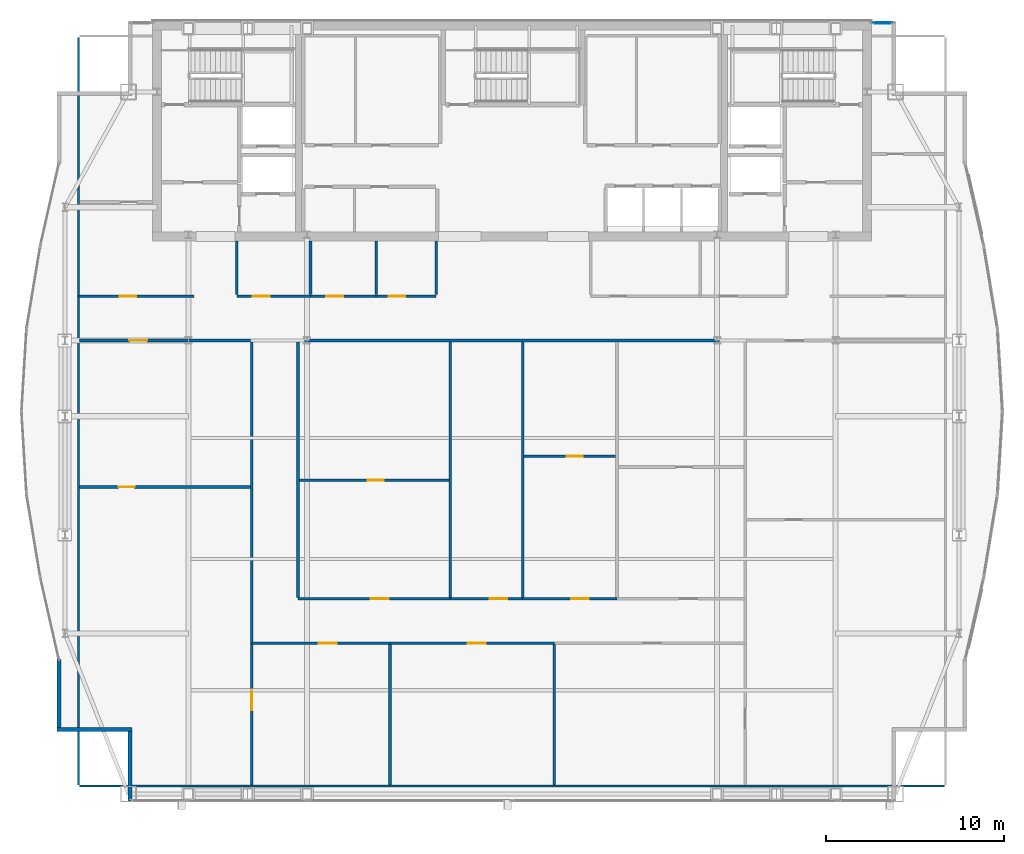
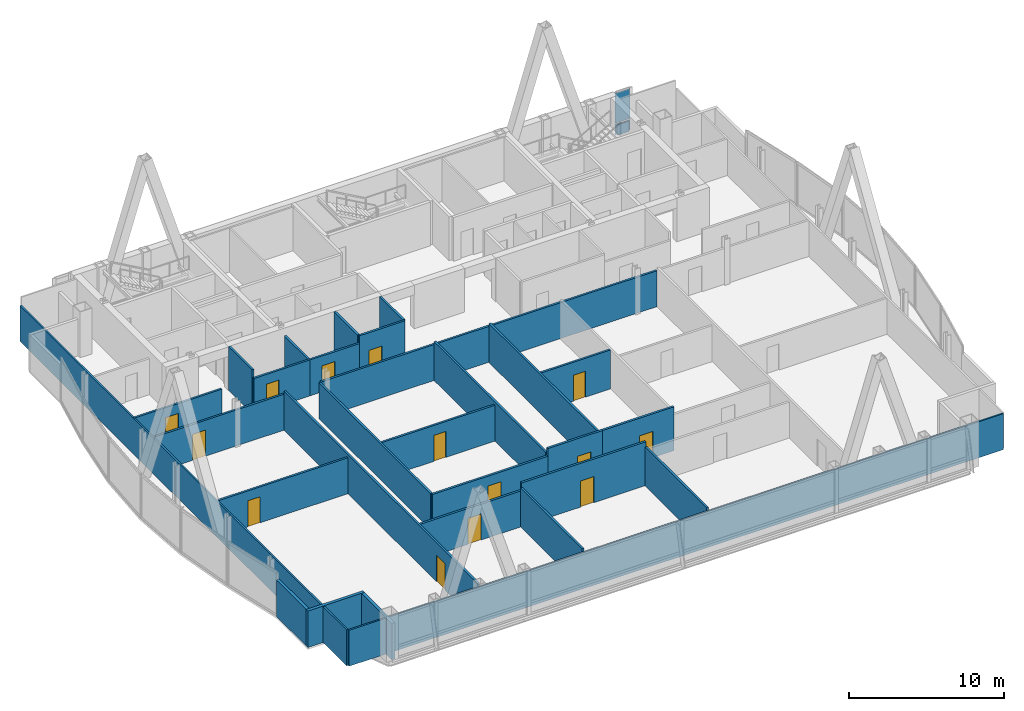
# One storey, part 26 of 31: 29 walls, 14 doors, 3 plates, 14 openings, 1 element without a shape of its own.
"""IFC4 building model written with IfcOpenShell, lengths in metres."""

from ifc_helpers import new_model, si_unit, direction, frame, frame_2d, origin, origin_2d, place, context, subcontext, project, spatial, rectangle, extrude, material, layer, layer_set, type_object, element, fill, aggregate, save


model = new_model("IFC4")

# Units and contexts
model_context = context("Model", 3, precision=1e-05, world=origin(), true_north=direction((0.0, 1.0)))
body_context = subcontext(model_context, "Body", "Model", "MODEL_VIEW")
ifc_project = project(units=[si_unit("LENGTHUNIT", "METRE"), si_unit("AREAUNIT", "SQUARE_METRE"), si_unit("VOLUMEUNIT", "CUBIC_METRE"), si_unit("PLANEANGLEUNIT", "RADIAN"), si_unit("MASSUNIT", "GRAM", prefix="KILO")], contexts=[model_context])

# Site, building, storey
site_placement = place(None, origin())
site = spatial("IfcSite", under=ifc_project, at=site_placement, CompositionType="ELEMENT")
building_placement = place(site_placement, origin())
building = spatial("IfcBuilding", under=site, at=building_placement, Name="Khoronbel Lancet Exchange", CompositionType="ELEMENT")
storey_placement = place(building_placement, frame((0.0, 0.0, 325.39990234375)))
storey = spatial("IfcBuildingStorey", under=building, at=storey_placement, Name="L84", CompositionType="ELEMENT", Elevation=325.39990234375)

# Curtain wall, plates
ifc_material_1 = material(Name="Low-E Solar Control Insulating Glass", Category="glass")
curtain_wall_type = type_object("IfcCurtainWallType", Name="CW-3", PredefinedType="NOTDEFINED", material=ifc_material_1)
curtain_wall_placement = place(storey_placement, origin())
curtain_wall = element("IfcCurtainWall", 1, at=curtain_wall_placement, inside=storey, type_object=curtain_wall_type, Name="Unitised curtain wall CW-L84-NEFLK", PredefinedType="NOTDEFINED")
ifc_material_2 = material(Name="Bronze-Anodised Aluminium 6063-T6", Category="aluminium")
ifc_layer_1 = layer(ifc_material_2, 0.050048828125, Name="Bronze-Anodised Aluminium 6063-T6")
ifc_layer_set_1 = layer_set([ifc_layer_1], Name="Bronze-Anodised Aluminium 6063-T6")
plate_type_1 = type_object("IfcPlateType", Name="PLT-CSP1", PredefinedType="SHEET", material=ifc_layer_set_1)
plate_1_placement = place(storey_placement, frame((57.320068359375, 53.550048828125, 0.05029296875), z_axis=(0.0, 0.0, 1.0), x_axis=(-1.0, 0.0, 0.0)))
plate_1 = element("IfcPlate", 2, at=plate_1_placement, type_object=plate_type_1, Name="Insulated bronze spandrel cassette CW-L84-NEFLK", PredefinedType="SHEET", context=body_context, shape_type="SweptSolid", body=[
    extrude(rectangle(XDim=0.89599609375, YDim=0.050048828125, at=origin_2d()), origin(), (0.0, 0.0, 1.0), 0.800048828125),
])
ifc_layer_2 = layer(ifc_material_1, 0.035888671875, Name="Low-E Solar Control Insulating Glass")
ifc_layer_set_2 = layer_set([ifc_layer_2], Name="Low-E Solar Control Insulating Glass")
plate_type_2 = type_object("IfcPlateType", Name="PLT-CWP1", PredefinedType="CURTAIN_PANEL", material=ifc_layer_set_2)
plate_2_placement = place(storey_placement, frame((57.320068359375, 53.610107421875, 0.0849609375), z_axis=(0.0, 0.0, 1.0), x_axis=(-1.0, 0.0, 0.0)))
plate_2 = element("IfcPlate", 3, at=plate_2_placement, type_object=plate_type_2, Name="CW3 panel 1.1", PredefinedType="CURTAIN_PANEL", context=body_context, shape_type="SweptSolid", body=[
    extrude(rectangle(XDim=1.110107421875, YDim=0.0380859375, at=origin_2d()), origin(), (0.0, 0.0, 1.0), 0.822509765625),
])
plate_3_placement = place(storey_placement, frame((57.320068359375, 53.610107421875, 0.99267578125), z_axis=(0.0, 0.0, 1.0), x_axis=(-1.0, 0.0, 0.0)))
plate_3 = element("IfcPlate", 4, at=plate_3_placement, type_object=plate_type_2, Name="CW3 panel 1.2", PredefinedType="CURTAIN_PANEL", context=body_context, shape_type="SweptSolid", body=[
    extrude(rectangle(XDim=1.110107421875, YDim=0.0380859375, at=origin_2d()), origin(), (0.0, 0.0, 1.0), 2.362548828125),
])
aggregate(curtain_wall, [plate_2, plate_3, plate_1])

# Walls
ifc_material_3 = material(Name="Precast concrete C40/50", Category="concrete")
ifc_layer_3 = layer(ifc_material_3, 0.25, Name="Precast concrete C40/50")
ifc_layer_set_3 = layer_set([ifc_layer_3], Name="Precast concrete C40/50")
wall_type_1 = type_object("IfcWallType", Name="WL-EXT250", PredefinedType="SOLIDWALL", material=ifc_layer_set_3)
wall_1_placement = place(storey_placement, frame((14.93994140625, 9.77001953125, 0.0), z_axis=(0.0, 0.0, 1.0), x_axis=(0.0, 1.0, 0.0)))
element("IfcWall", 5, at=wall_1_placement, inside=storey, type_object=wall_type_1, Name="Level L84 notched-corner limestone pier 01", PredefinedType="SOLIDWALL", context=body_context, shape_type="SweptSolid", body=[
    extrude(rectangle(XDim=3.909912109375, YDim=0.219970703125, at=frame_2d((1.955078125, 0.0))), origin(), (0.0, 0.0, 1.0), 2.880126953125),
])
wall_2_placement = place(storey_placement, frame((15.050048828125, 13.7900390625, 0.0), z_axis=(0.0, 0.0, 1.0), x_axis=(-1.0, 0.0, 0.0)))
element("IfcWall", 6, at=wall_2_placement, inside=storey, type_object=wall_type_1, Name="Level L84 notched-corner limestone pier 02", PredefinedType="SOLIDWALL", context=body_context, shape_type="SweptSolid", body=[
    extrude(rectangle(XDim=4.219970703125, YDim=0.219970703125, at=frame_2d((2.10986328125, 0.0))), origin(), (0.0, 0.0, 1.0), 2.880126953125),
])
wall_3_placement = place(storey_placement, frame((10.93994140625, 13.89990234375, 0.0), z_axis=(0.0, 0.0, 1.0), x_axis=(0.0, 1.0, 0.0)))
element("IfcWall", 7, at=wall_3_placement, inside=storey, type_object=wall_type_1, Name="Level L84 notched-corner limestone pier 03", PredefinedType="SOLIDWALL", context=body_context, shape_type="SweptSolid", body=[
    extrude(rectangle(XDim=3.830078125, YDim=0.219970703125, at=frame_2d((1.9150390625, 0.0))), origin(), (0.0, 0.0, 1.0), 2.880126953125),
])
ifc_material_4 = material(Name="Acoustic Metal-Stud & Mineral-Wool Gypsum Partition 120 mm", Category="gypsum")
ifc_layer_4 = layer(ifc_material_4, 0.1201171875, Name="Acoustic Metal-Stud & Mineral-Wool Gypsum Partition 120 mm")
ifc_layer_set_4 = layer_set([ifc_layer_4], Name="Acoustic Metal-Stud & Mineral-Wool Gypsum Partition 120 mm")
wall_type_2 = type_object("IfcWallType", Name="WL-PRT120", PredefinedType="PARTITIONING", material=ifc_layer_set_4)
wall_4_placement = place(storey_placement, frame((20.949951171875, 38.280029296875, 0.0), z_axis=(0.0, 0.0, 1.0), x_axis=(0.0, 1.0, 0.0)))
element("IfcWall", 8, at=wall_4_placement, inside=storey, type_object=wall_type_2, Name="Level L84 interior partition PW-WC-0", PredefinedType="PARTITIONING", context=body_context, shape_type="SweptSolid", body=[
    extrude(rectangle(XDim=3.02001953125, YDim=0.14990234375, at=frame_2d((1.510009765625, 0.0))), origin(), (0.0, 0.0, 1.0), 3.440185546875),
])
wall_5_placement = place(storey_placement, frame((25.10009765625, 38.280029296875, 0.0), z_axis=(0.0, 0.0, 1.0), x_axis=(0.0, 1.0, 0.0)))
element("IfcWall", 9, at=wall_5_placement, inside=storey, type_object=wall_type_2, Name="Level L84 interior partition PW-WC-1", PredefinedType="PARTITIONING", context=body_context, shape_type="SweptSolid", body=[
    extrude(rectangle(XDim=3.02001953125, YDim=0.14990234375, at=frame_2d((1.510009765625, 0.0))), origin(), (0.0, 0.0, 1.0), 2.830078125),
])
for number, where, z_axis, x_axis, name in (
    (10, (28.800048828125, 38.280029296875, 0.0), (0.0, 0.0, 1.0), (0.0, 1.0, 0.0), "Level L84 interior partition PW-WC-2"),
    (11, (32.179931640625, 38.280029296875, 0.0), (0.0, 0.0, 1.0), (0.0, 1.0, 0.0), "Level L84 interior partition PW-WC-3"),
):
    element("IfcWall", number, at=place(storey_placement, frame(where, z_axis=z_axis, x_axis=x_axis)), inside=storey, type_object=wall_type_2, Name=name, PredefinedType="PARTITIONING", context=body_context, shape_type="SweptSolid", body=[
        extrude(rectangle(XDim=3.02001953125, YDim=0.14990234375, at=frame_2d((1.510009765625, 0.0))), origin(), (0.0, 0.0, 1.0), 3.440185546875),
    ])

# Wall, opening, door
wall_6_placement = place(storey_placement, frame((12.094970703125, 27.449951171875, 0.0), z_axis=(0.0, 0.0, 1.0), x_axis=(1.0, 0.0, 0.0)))
wall_6 = element("IfcWall", 12, at=wall_6_placement, inside=storey, type_object=wall_type_2, Name="Level L84 interior partition PW-Z4-WH", PredefinedType="PARTITIONING", context=body_context, shape_type="SweptSolid", body=[
    extrude(rectangle(XDim=9.625, YDim=0.14990234375, at=frame_2d((4.8125, 0.0))), origin(), (0.0, 0.0, 1.0), 2.830078125),
])
opening_1_placement = place(wall_6_placement, frame((2.199951171875, 0.0, 0.0)))
opening_1 = element("IfcOpeningElement", 13, at=opening_1_placement, cuts=wall_6, Name="Opening D5", PredefinedType="OPENING", context=body_context, shape_type="SweptSolid", body=[
    extrude(rectangle(XDim=0.89990234375, YDim=2.050048828125, at=frame_2d((0.449951171875, 1.02490234375))), frame((0.0, 0.0849609375, 0.0), z_axis=(0.0, -1.0, 0.0), x_axis=(1.0, 0.0, 0.0)), (0.0, 0.0, 1.0), 0.169921875),
])
ifc_material_5 = material(Name="Acoustic Timber Pantry & Support Door", Category="wood")
door_type_1 = type_object("IfcDoorType", Name="DR-D5", OperationType="NOTDEFINED", PredefinedType="DOOR", material=ifc_material_5)
door_1_placement = place(opening_1_placement, origin())
door_1 = element("IfcDoor", 14, at=door_1_placement, inside=storey, type_object=door_type_1, Name="West lens inner door L84-1", OperationType="SINGLE_SWING_RIGHT", OverallHeight=2.050048828125, OverallWidth=0.89990234375, PredefinedType="DOOR", context=body_context, shape_type="SweptSolid", body=[
    extrude(rectangle(XDim=0.89990234375, YDim=2.050048828125, at=frame_2d((0.449951171875, 1.02490234375))), frame((0.0, 0.02490234375, 0.0), z_axis=(0.0, -1.0, 0.0), x_axis=(1.0, 0.0, 0.0)), (0.0, 0.0, 1.0), 0.050048828125),
])
fill(opening_1, door_1)

wall_7_placement = place(storey_placement, frame((24.47998046875, 27.82861328125, 0.0), z_axis=(0.0, 0.0, 1.0), x_axis=(1.0, 0.0, 0.0)))
wall_7 = element("IfcWall", 15, at=wall_7_placement, inside=storey, type_object=wall_type_2, Name="Level L84 interior partition PW-Z4C-H1", PredefinedType="PARTITIONING", context=body_context, shape_type="SweptSolid", body=[
    extrude(rectangle(XDim=8.411865234375, YDim=0.14990234375, at=frame_2d((4.2060546875, 0.0))), origin(), (0.0, 0.0, 1.0), 2.830078125),
])
opening_2_placement = place(wall_7_placement, frame((3.857421875, 0.0, 0.0)))
opening_2 = element("IfcOpeningElement", 16, at=opening_2_placement, cuts=wall_7, Name="Opening D5", PredefinedType="OPENING", context=body_context, shape_type="SweptSolid", body=[
    extrude(rectangle(XDim=0.89990234375, YDim=2.050048828125, at=frame_2d((0.449951171875, 1.02490234375))), frame((0.0, 0.0849609375, 0.0), z_axis=(0.0, -1.0, 0.0), x_axis=(1.0, 0.0, 0.0)), (0.0, 0.0, 1.0), 0.169921875),
])
door_2_placement = place(opening_2_placement, origin())
door_2 = element("IfcDoor", 17, at=door_2_placement, inside=storey, type_object=door_type_1, Name="Z4C inner door 1 L84-1", OperationType="SINGLE_SWING_LEFT", OverallHeight=2.050048828125, OverallWidth=0.89990234375, PredefinedType="DOOR", context=body_context, shape_type="SweptSolid", body=[
    extrude(rectangle(XDim=0.89990234375, YDim=2.050048828125, at=frame_2d((0.449951171875, 1.02490234375))), frame((0.0, 0.02490234375, 0.0), z_axis=(0.0, -1.0, 0.0), x_axis=(1.0, 0.0, 0.0)), (0.0, 0.0, 1.0), 0.050048828125),
])
fill(opening_2, door_2)

wall_8_placement = place(storey_placement, frame((37.1318359375, 29.18408203125, 0.0), z_axis=(0.0, 0.0, 1.0), x_axis=(1.0, 0.0, 0.0)))
wall_8 = element("IfcWall", 18, at=wall_8_placement, inside=storey, type_object=wall_type_2, Name="Level L84 interior partition PW-Z4C-H3", PredefinedType="PARTITIONING", context=body_context, shape_type="SweptSolid", body=[
    extrude(rectangle(XDim=5.15625, YDim=0.14990234375, at=frame_2d((2.578125, 0.0))), origin(), (0.0, 0.0, 1.0), 3.070068359375),
])
opening_3_placement = place(wall_8_placement, frame((2.392333984375, 0.0, 0.0)))
opening_3 = element("IfcOpeningElement", 19, at=opening_3_placement, cuts=wall_8, Name="Opening D5", PredefinedType="OPENING", context=body_context, shape_type="SweptSolid", body=[
    extrude(rectangle(XDim=0.89990234375, YDim=2.050048828125, at=frame_2d((0.449951171875, 1.02490234375))), frame((0.0, 0.0849609375, 0.0), z_axis=(0.0, -1.0, 0.0), x_axis=(1.0, 0.0, 0.0)), (0.0, 0.0, 1.0), 0.169921875),
])
door_3_placement = place(opening_3_placement, origin())
door_3 = element("IfcDoor", 20, at=door_3_placement, inside=storey, type_object=door_type_1, Name="Z4C inner door 3 L84-1", OperationType="SINGLE_SWING_RIGHT", OverallHeight=2.050048828125, OverallWidth=0.89990234375, PredefinedType="DOOR", context=body_context, shape_type="SweptSolid", body=[
    extrude(rectangle(XDim=0.89990234375, YDim=2.050048828125, at=frame_2d((0.449951171875, 1.02490234375))), frame((0.0, 0.02490234375, 0.0), z_axis=(0.0, -1.0, 0.0), x_axis=(1.0, 0.0, 0.0)), (0.0, 0.0, 1.0), 0.050048828125),
])
fill(opening_3, door_3)

# Walls
wall_9_placement = place(storey_placement, frame((12.030029296875, 10.6650390625, 0.0), z_axis=(0.0, 0.0, 1.0), x_axis=(0.0, 1.0, 0.0)))
element("IfcWall", 21, at=wall_9_placement, inside=storey, type_object=wall_type_2, Name="Level L84 interior partition PW-LIN-W", PredefinedType="PARTITIONING", context=body_context, shape_type="SweptSolid", body=[
    extrude(rectangle(XDim=42.10986328125, YDim=0.1201171875, at=frame_2d((21.054931640625, 0.0))), origin(), (0.0, 0.0, 1.0), 2.830078125),
])
wall_10_placement = place(storey_placement, frame((12.094970703125, 10.60009765625, 0.0), z_axis=(0.0, 0.0, 1.0), x_axis=(1.0, 0.0, 0.0)))
element("IfcWall", 22, at=wall_10_placement, inside=storey, type_object=wall_type_2, Name="Level L84 interior partition PW-LIN-S", PredefinedType="PARTITIONING", context=body_context, shape_type="SweptSolid", body=[
    extrude(rectangle(XDim=48.7099609375, YDim=0.1201171875, at=frame_2d((24.35498046875, 0.0))), origin(), (0.0, 0.0, 1.0), 2.830078125),
])

# Wall, opening, door
ifc_material_6 = material(Name="Fire-Rated Twin-Stud Acoustic Gypsum Partition 150 mm", Category="gypsum")
ifc_layer_5 = layer(ifc_material_6, 0.14990234375, Name="Fire-Rated Twin-Stud Acoustic Gypsum Partition 150 mm")
ifc_layer_set_5 = layer_set([ifc_layer_5], Name="Fire-Rated Twin-Stud Acoustic Gypsum Partition 150 mm")
wall_type_3 = type_object("IfcWallType", Name="WL-PRT150C", PredefinedType="PARTITIONING", material=ifc_layer_set_5)
wall_11_placement = place(storey_placement, frame((20.949951171875, 38.199951171875, 0.0), z_axis=(0.0, 0.0, 1.0), x_axis=(1.0, 0.0, 0.0)))
wall_11 = element("IfcWall", 23, at=wall_11_placement, inside=storey, type_object=wall_type_3, Name="Level L84 interior partition PW-WC-S1", PredefinedType="PARTITIONING", context=body_context, shape_type="SweptSolid", body=[
    extrude(rectangle(XDim=4.150146484375, YDim=0.14990234375, at=frame_2d((2.0751953125, 0.0))), origin(), (0.0, 0.0, 1.0), 2.830078125),
])
opening_4_placement = place(wall_11_placement, frame((0.89990234375, 0.0, 0.0)))
opening_4 = element("IfcOpeningElement", 24, at=opening_4_placement, cuts=wall_11, Name="Opening D4", PredefinedType="OPENING", context=body_context, shape_type="SweptSolid", body=[
    extrude(rectangle(XDim=0.949951171875, YDim=2.050048828125, at=frame_2d((0.47509765625, 1.02490234375))), frame((0.0, 0.0849609375, 0.0), z_axis=(0.0, -1.0, 0.0), x_axis=(1.0, 0.0, 0.0)), (0.0, 0.0, 1.0), 0.169921875),
])
ifc_material_7 = material(Name="Moisture-Resistant HPL Washroom Door", Category="wood")
door_type_2 = type_object("IfcDoorType", Name="DR-D4", OperationType="NOTDEFINED", PredefinedType="DOOR", material=ifc_material_7)
door_4_placement = place(opening_4_placement, origin())
door_4 = element("IfcDoor", 25, at=door_4_placement, inside=storey, type_object=door_type_2, Name="Male washroom door L84-1", OperationType="SINGLE_SWING_LEFT", OverallHeight=2.050048828125, OverallWidth=0.949951171875, PredefinedType="DOOR", context=body_context, shape_type="SweptSolid", body=[
    extrude(rectangle(XDim=0.949951171875, YDim=2.050048828125, at=frame_2d((0.47509765625, 1.02490234375))), frame((0.0, 0.02490234375, 0.0), z_axis=(0.0, -1.0, 0.0), x_axis=(1.0, 0.0, 0.0)), (0.0, 0.0, 1.0), 0.050048828125),
])
fill(opening_4, door_4)

wall_12_placement = place(storey_placement, frame((25.10009765625, 38.199951171875, 0.0), z_axis=(0.0, 0.0, 1.0), x_axis=(1.0, 0.0, 0.0)))
wall_12 = element("IfcWall", 26, at=wall_12_placement, inside=storey, type_object=wall_type_3, Name="Level L84 interior partition PW-WC-S2", PredefinedType="PARTITIONING", context=body_context, shape_type="SweptSolid", body=[
    extrude(rectangle(XDim=3.699951171875, YDim=0.14990234375, at=frame_2d((1.85009765625, 0.0))), origin(), (0.0, 0.0, 1.0), 2.830078125),
])
opening_5_placement = place(wall_12_placement, frame((0.89990234375, 0.0, 0.0)))
opening_5 = element("IfcOpeningElement", 27, at=opening_5_placement, cuts=wall_12, Name="Opening D4", PredefinedType="OPENING", context=body_context, shape_type="SweptSolid", body=[
    extrude(rectangle(XDim=0.949951171875, YDim=2.050048828125, at=frame_2d((0.47509765625, 1.02490234375))), frame((0.0, 0.0849609375, 0.0), z_axis=(0.0, -1.0, 0.0), x_axis=(1.0, 0.0, 0.0)), (0.0, 0.0, 1.0), 0.169921875),
])
door_5_placement = place(opening_5_placement, origin())
door_5 = element("IfcDoor", 28, at=door_5_placement, inside=storey, type_object=door_type_2, Name="Female washroom door L84-1", OperationType="SINGLE_SWING_RIGHT", OverallHeight=2.050048828125, OverallWidth=0.949951171875, PredefinedType="DOOR", context=body_context, shape_type="SweptSolid", body=[
    extrude(rectangle(XDim=0.949951171875, YDim=2.050048828125, at=frame_2d((0.47509765625, 1.02490234375))), frame((0.0, 0.02490234375, 0.0), z_axis=(0.0, -1.0, 0.0), x_axis=(1.0, 0.0, 0.0)), (0.0, 0.0, 1.0), 0.050048828125),
])
fill(opening_5, door_5)

wall_13_placement = place(storey_placement, frame((28.800048828125, 38.199951171875, 0.0), z_axis=(0.0, 0.0, 1.0), x_axis=(1.0, 0.0, 0.0)))
wall_13 = element("IfcWall", 29, at=wall_13_placement, inside=storey, type_object=wall_type_3, Name="Level L84 interior partition PW-WC-S3", PredefinedType="PARTITIONING", context=body_context, shape_type="SweptSolid", body=[
    extrude(rectangle(XDim=3.3798828125, YDim=0.14990234375, at=frame_2d((1.68994140625, 0.0))), origin(), (0.0, 0.0, 1.0), 3.440185546875),
])
opening_6_placement = place(wall_13_placement, frame((0.699951171875, 0.0, 0.0)))
opening_6 = element("IfcOpeningElement", 30, at=opening_6_placement, cuts=wall_13, Name="Opening D4", PredefinedType="OPENING", context=body_context, shape_type="SweptSolid", body=[
    extrude(rectangle(XDim=0.949951171875, YDim=2.050048828125, at=frame_2d((0.47509765625, 1.02490234375))), frame((0.0, 0.0849609375, 0.0), z_axis=(0.0, -1.0, 0.0), x_axis=(1.0, 0.0, 0.0)), (0.0, 0.0, 1.0), 0.169921875),
])
door_6_placement = place(opening_6_placement, origin())
door_6 = element("IfcDoor", 31, at=door_6_placement, inside=storey, type_object=door_type_2, Name="Accessible WC door L84-1", OperationType="SINGLE_SWING_LEFT", OverallHeight=2.050048828125, OverallWidth=0.949951171875, PredefinedType="DOOR", context=body_context, shape_type="SweptSolid", body=[
    extrude(rectangle(XDim=0.949951171875, YDim=2.050048828125, at=frame_2d((0.47509765625, 1.02490234375))), frame((0.0, 0.02490234375, 0.0), z_axis=(0.0, -1.0, 0.0), x_axis=(1.0, 0.0, 0.0)), (0.0, 0.0, 1.0), 0.050048828125),
])
fill(opening_6, door_6)

wall_14_placement = place(storey_placement, frame((12.030029296875, 38.199951171875, 0.0), z_axis=(0.0, 0.0, 1.0), x_axis=(1.0, 0.0, 0.0)))
wall_14 = element("IfcWall", 32, at=wall_14_placement, inside=storey, type_object=wall_type_3, Name="Level L84 interior partition PW-NW-S", PredefinedType="PARTITIONING", context=body_context, shape_type="SweptSolid", body=[
    extrude(rectangle(XDim=6.52001953125, YDim=0.14990234375, at=frame_2d((3.260009765625, 0.0))), origin(), (0.0, 0.0, 1.0), 2.830078125),
])
opening_7_placement = place(wall_14_placement, frame((2.320068359375, 0.0, 0.0)))
opening_7 = element("IfcOpeningElement", 33, at=opening_7_placement, cuts=wall_14, Name="Opening D1", PredefinedType="OPENING", context=body_context, shape_type="SweptSolid", body=[
    extrude(rectangle(XDim=0.949951171875, YDim=2.050048828125, at=frame_2d((0.47509765625, 1.02490234375))), frame((0.0, 0.0849609375, 0.0), z_axis=(0.0, -1.0, 0.0), x_axis=(1.0, 0.0, 0.0)), (0.0, 0.0, 1.0), 0.169921875),
])
ifc_material_8 = material(Name="Acoustic Veneered Timber & Bronze Frame Door", Category="wood")
door_type_3 = type_object("IfcDoorType", Name="DR-D1", OperationType="NOTDEFINED", PredefinedType="DOOR", material=ifc_material_8)
door_7_placement = place(opening_7_placement, origin())
door_7 = element("IfcDoor", 34, at=door_7_placement, inside=storey, type_object=door_type_3, Name="NW corner room door L84-1", OperationType="SINGLE_SWING_RIGHT", OverallHeight=2.050048828125, OverallWidth=0.949951171875, PredefinedType="DOOR", context=body_context, shape_type="SweptSolid", body=[
    extrude(rectangle(XDim=0.949951171875, YDim=2.050048828125, at=frame_2d((0.47509765625, 1.02490234375))), frame((0.0, 0.02490234375, 0.0), z_axis=(0.0, -1.0, 0.0), x_axis=(1.0, 0.0, 0.0)), (0.0, 0.0, 1.0), 0.050048828125),
])
fill(opening_7, door_7)

wall_15_placement = place(storey_placement, frame((21.800048828125, 10.6650390625, 0.0), z_axis=(0.0, 0.0, 1.0), x_axis=(0.0, 1.0, 0.0)))
wall_15 = element("IfcWall", 35, at=wall_15_placement, inside=storey, type_object=wall_type_3, Name="Level L84 interior partition PW-Z4-WW", PredefinedType="PARTITIONING", context=body_context, shape_type="SweptSolid", body=[
    extrude(rectangle(XDim=24.955078125, YDim=0.14990234375, at=frame_2d((12.4775390625, 0.0))), origin(), (0.0, 0.0, 1.0), 3.070068359375),
])
opening_8_placement = place(wall_15_placement, frame((4.199951171875, 0.0, 0.0)))
opening_8 = element("IfcOpeningElement", 36, at=opening_8_placement, cuts=wall_15, Name="Opening D6", PredefinedType="OPENING", context=body_context, shape_type="SweptSolid", body=[
    extrude(rectangle(XDim=1.10009765625, YDim=2.10009765625, at=frame_2d((0.550048828125, 1.050048828125))), frame((0.0, 0.0849609375, 0.0), z_axis=(0.0, -1.0, 0.0), x_axis=(1.0, 0.0, 0.0)), (0.0, 0.0, 1.0), 0.169921875),
])
ifc_material_9 = material(Name="Acoustic Bronze-Veneer Executive Suite Door", Category="wood")
door_type_4 = type_object("IfcDoorType", Name="DR-D6", OperationType="NOTDEFINED", PredefinedType="DOOR", material=ifc_material_9)
door_8_placement = place(opening_8_placement, origin())
door_8 = element("IfcDoor", 37, at=door_8_placement, inside=storey, type_object=door_type_4, Name="West lens presidential door L84-1", OperationType="SINGLE_SWING_RIGHT", OverallHeight=2.10009765625, OverallWidth=1.10009765625, PredefinedType="DOOR", context=body_context, shape_type="SweptSolid", body=[
    extrude(rectangle(XDim=1.10009765625, YDim=2.10009765625, at=frame_2d((0.550048828125, 1.050048828125))), frame((0.0, 0.02490234375, 0.0), z_axis=(0.0, -1.0, 0.0), x_axis=(1.0, 0.0, 0.0)), (0.0, 0.0, 1.0), 0.050048828125),
])
fill(opening_8, door_8)

wall_16_placement = place(storey_placement, frame((12.094970703125, 35.699951171875, 0.0), z_axis=(0.0, 0.0, 1.0), x_axis=(1.0, 0.0, 0.0)))
wall_16 = element("IfcWall", 38, at=wall_16_placement, inside=storey, type_object=wall_type_3, Name="Level L84 interior partition PW-Z4-WN", PredefinedType="PARTITIONING", context=body_context, shape_type="SweptSolid", body=[
    extrude(rectangle(XDim=9.625, YDim=0.14990234375, at=frame_2d((4.8125, 0.0))), origin(), (0.0, 0.0, 1.0), 2.830078125),
])
opening_9_placement = place(wall_16_placement, frame((2.800048828125, 0.0, 0.0)))
opening_9 = element("IfcOpeningElement", 39, at=opening_9_placement, cuts=wall_16, Name="Opening D2", PredefinedType="OPENING", context=body_context, shape_type="SweptSolid", body=[
    extrude(rectangle(XDim=1.0, YDim=2.050048828125, at=frame_2d((0.5, 1.02490234375))), frame((0.0, 0.0849609375, 0.0), z_axis=(0.0, -1.0, 0.0), x_axis=(1.0, 0.0, 0.0)), (0.0, 0.0, 1.0), 0.169921875),
])
door_type_5 = type_object("IfcDoorType", Name="DR-D2", OperationType="NOTDEFINED", PredefinedType="DOOR", material=ifc_material_8)
door_9_placement = place(opening_9_placement, origin())
door_9 = element("IfcDoor", 40, at=door_9_placement, inside=storey, type_object=door_type_5, Name="West lens north door L84-1", OperationType="SINGLE_SWING_LEFT", OverallHeight=2.050048828125, OverallWidth=1.0, PredefinedType="DOOR", context=body_context, shape_type="SweptSolid", body=[
    extrude(rectangle(XDim=1.0, YDim=2.050048828125, at=frame_2d((0.5, 1.02490234375))), frame((0.0, 0.02490234375, 0.0), z_axis=(0.0, -1.0, 0.0), x_axis=(1.0, 0.0, 0.0)), (0.0, 0.0, 1.0), 0.050048828125),
])
fill(opening_9, door_9)

# Walls
wall_17_placement = place(storey_placement, frame((24.39990234375, 21.235107421875, 0.0), z_axis=(0.0, 0.0, 1.0), x_axis=(0.0, 1.0, 0.0)))
element("IfcWall", 41, at=wall_17_placement, inside=storey, type_object=wall_type_3, Name="Level L84 interior partition PW-Z4-WE", PredefinedType="PARTITIONING", context=body_context, shape_type="SweptSolid", body=[
    extrude(rectangle(XDim=14.385009765625, YDim=0.14990234375, at=frame_2d((7.1923828125, 0.0))), origin(), (0.0, 0.0, 1.0), 2.830078125),
])
wall_18_placement = place(storey_placement, frame((24.47998046875, 35.699951171875, 0.0), z_axis=(0.0, 0.0, 1.0), x_axis=(1.0, 0.0, 0.0)))
element("IfcWall", 42, at=wall_18_placement, inside=storey, type_object=wall_type_3, Name="Level L84 interior partition PW-Z4-EN1", PredefinedType="PARTITIONING", context=body_context, shape_type="SweptSolid", body=[
    extrude(rectangle(XDim=25.02001953125, YDim=0.14990234375, at=frame_2d((12.510009765625, 0.0))), origin(), (0.0, 0.0, 1.0), 2.830078125),
])
for number, where, z_axis, x_axis, name in (
    (43, (32.971923828125, 21.235107421875, 0.0), (0.0, 0.0, 1.0), (0.0, 1.0, 0.0), "Level L84 interior partition PW-Z4C-V1"),
    (44, (37.0517578125, 21.235107421875, 0.0), (0.0, 0.0, 1.0), (0.0, 1.0, 0.0), "Level L84 interior partition PW-Z4C-V2"),
):
    element("IfcWall", number, at=place(storey_placement, frame(where, z_axis=z_axis, x_axis=x_axis)), inside=storey, type_object=wall_type_3, Name=name, PredefinedType="PARTITIONING", context=body_context, shape_type="SweptSolid", body=[
        extrude(rectangle(XDim=14.385009765625, YDim=0.14990234375, at=frame_2d((7.1923828125, 0.0))), origin(), (0.0, 0.0, 1.0), 3.070068359375),
    ])
for number, where, z_axis, x_axis, name in (
    (45, (29.578369140625, 10.6650390625, 0.0), (0.0, 0.0, 1.0), (0.0, 1.0, 0.0), "Level L84 interior partition PW-Z4S-V1"),
    (46, (38.83837890625, 10.6650390625, 0.0), (0.0, 0.0, 1.0), (0.0, 1.0, 0.0), "Level L84 interior partition PW-Z4S-V2"),
):
    element("IfcWall", number, at=place(storey_placement, frame(where, z_axis=z_axis, x_axis=x_axis)), inside=storey, type_object=wall_type_3, Name=name, PredefinedType="PARTITIONING", context=body_context, shape_type="SweptSolid", body=[
        extrude(rectangle(XDim=7.89990234375, YDim=0.14990234375, at=frame_2d((3.949951171875, 0.0))), origin(), (0.0, 0.0, 1.0), 3.070068359375),
    ])

# Wall, opening, door
ifc_material_10 = material(Name="Fire-Rated Twin-Stud Acoustic Gypsum Partition 160 mm", Category="gypsum")
ifc_layer_6 = layer(ifc_material_10, 0.159912109375, Name="Fire-Rated Twin-Stud Acoustic Gypsum Partition 160 mm")
ifc_layer_set_6 = layer_set([ifc_layer_6], Name="Fire-Rated Twin-Stud Acoustic Gypsum Partition 160 mm")
wall_type_4 = type_object("IfcWallType", Name="WL-PRT160C", PredefinedType="PARTITIONING", material=ifc_layer_set_6)
wall_19_placement = place(storey_placement, frame((24.39990234375, 21.14990234375, 0.0), z_axis=(0.0, 0.0, 1.0), x_axis=(1.0, 0.0, 0.0)))
wall_19 = element("IfcWall", 47, at=wall_19_placement, inside=storey, type_object=wall_type_4, Name="Level L84 interior partition PW-Z4C-COR1", PredefinedType="PARTITIONING", context=body_context, shape_type="SweptSolid", body=[
    extrude(rectangle(XDim=8.572021484375, YDim=0.159912109375, at=frame_2d((4.2861328125, 0.0))), origin(), (0.0, 0.0, 1.0), 2.830078125),
])
opening_10_placement = place(wall_19_placement, frame((4.10009765625, 0.0, 0.0)))
opening_10 = element("IfcOpeningElement", 48, at=opening_10_placement, cuts=wall_19, Name="Opening D2", PredefinedType="OPENING", context=body_context, shape_type="SweptSolid", body=[
    extrude(rectangle(XDim=1.0, YDim=2.050048828125, at=frame_2d((0.5, 1.02490234375))), frame((0.0, 0.08984375, 0.0), z_axis=(0.0, -1.0, 0.0), x_axis=(1.0, 0.0, 0.0)), (0.0, 0.0, 1.0), 0.179931640625),
])
door_10_placement = place(opening_10_placement, origin())
door_10 = element("IfcDoor", 49, at=door_10_placement, inside=storey, type_object=door_type_5, Name="Z4C bay 1 door L84-1", OperationType="SINGLE_SWING_RIGHT", OverallHeight=2.050048828125, OverallWidth=1.0, PredefinedType="DOOR", context=body_context, shape_type="SweptSolid", body=[
    extrude(rectangle(XDim=1.0, YDim=2.050048828125, at=frame_2d((0.5, 1.02490234375))), frame((0.0, 0.02490234375, 0.0), z_axis=(0.0, -1.0, 0.0), x_axis=(1.0, 0.0, 0.0)), (0.0, 0.0, 1.0), 0.050048828125),
])
fill(opening_10, door_10)

wall_20_placement = place(storey_placement, frame((32.971923828125, 21.14990234375, 0.0), z_axis=(0.0, 0.0, 1.0), x_axis=(1.0, 0.0, 0.0)))
wall_20 = element("IfcWall", 50, at=wall_20_placement, inside=storey, type_object=wall_type_4, Name="Level L84 interior partition PW-Z4C-COR2", PredefinedType="PARTITIONING", context=body_context, shape_type="SweptSolid", body=[
    extrude(rectangle(XDim=4.079833984375, YDim=0.159912109375, at=frame_2d((2.0400390625, 0.0))), origin(), (0.0, 0.0, 1.0), 3.440185546875),
])
opening_11_placement = place(wall_20_placement, frame((2.213623046875, 0.0, 0.0)))
opening_11 = element("IfcOpeningElement", 51, at=opening_11_placement, cuts=wall_20, Name="Opening D2", PredefinedType="OPENING", context=body_context, shape_type="SweptSolid", body=[
    extrude(rectangle(XDim=1.0, YDim=2.050048828125, at=frame_2d((0.5, 1.02490234375))), frame((0.0, 0.08984375, 0.0), z_axis=(0.0, -1.0, 0.0), x_axis=(1.0, 0.0, 0.0)), (0.0, 0.0, 1.0), 0.179931640625),
])
door_11_placement = place(opening_11_placement, origin())
door_11 = element("IfcDoor", 52, at=door_11_placement, inside=storey, type_object=door_type_5, Name="Z4C bay 2 door L84-1", OperationType="SINGLE_SWING_RIGHT", OverallHeight=2.050048828125, OverallWidth=1.0, PredefinedType="DOOR", context=body_context, shape_type="SweptSolid", body=[
    extrude(rectangle(XDim=1.0, YDim=2.050048828125, at=frame_2d((0.5, 1.02490234375))), frame((0.0, 0.02490234375, 0.0), z_axis=(0.0, -1.0, 0.0), x_axis=(1.0, 0.0, 0.0)), (0.0, 0.0, 1.0), 0.050048828125),
])
fill(opening_11, door_11)

wall_21_placement = place(storey_placement, frame((37.0517578125, 21.14990234375, 0.0), z_axis=(0.0, 0.0, 1.0), x_axis=(1.0, 0.0, 0.0)))
wall_21 = element("IfcWall", 53, at=wall_21_placement, inside=storey, type_object=wall_type_4, Name="Level L84 interior partition PW-Z4C-COR3", PredefinedType="PARTITIONING", context=body_context, shape_type="SweptSolid", body=[
    extrude(rectangle(XDim=5.31640625, YDim=0.159912109375, at=frame_2d((2.658203125, 0.0))), origin(), (0.0, 0.0, 1.0), 3.440185546875),
])
opening_12_placement = place(wall_21_placement, frame((2.73291015625, 0.0, 0.0)))
opening_12 = element("IfcOpeningElement", 54, at=opening_12_placement, cuts=wall_21, Name="Opening D2", PredefinedType="OPENING", context=body_context, shape_type="SweptSolid", body=[
    extrude(rectangle(XDim=1.0, YDim=2.050048828125, at=frame_2d((0.5, 1.02490234375))), frame((0.0, 0.08984375, 0.0), z_axis=(0.0, -1.0, 0.0), x_axis=(1.0, 0.0, 0.0)), (0.0, 0.0, 1.0), 0.179931640625),
])
door_12_placement = place(opening_12_placement, origin())
door_12 = element("IfcDoor", 55, at=door_12_placement, inside=storey, type_object=door_type_5, Name="Z4C bay 3 door L84-1", OperationType="SINGLE_SWING_LEFT", OverallHeight=2.050048828125, OverallWidth=1.0, PredefinedType="DOOR", context=body_context, shape_type="SweptSolid", body=[
    extrude(rectangle(XDim=1.0, YDim=2.050048828125, at=frame_2d((0.5, 1.02490234375))), frame((0.0, 0.02490234375, 0.0), z_axis=(0.0, -1.0, 0.0), x_axis=(1.0, 0.0, 0.0)), (0.0, 0.0, 1.0), 0.050048828125),
])
fill(opening_12, door_12)

wall_22_placement = place(storey_placement, frame((21.800048828125, 18.64990234375, 0.0), z_axis=(0.0, 0.0, 1.0), x_axis=(1.0, 0.0, 0.0)))
wall_22 = element("IfcWall", 56, at=wall_22_placement, inside=storey, type_object=wall_type_4, Name="Level L84 interior partition PW-Z4S-COR1", PredefinedType="PARTITIONING", context=body_context, shape_type="SweptSolid", body=[
    extrude(rectangle(XDim=7.7783203125, YDim=0.159912109375, at=frame_2d((3.88916015625, 0.0))), origin(), (0.0, 0.0, 1.0), 2.830078125),
])
opening_13_placement = place(wall_22_placement, frame((3.766845703125, 0.0, 0.0)))
opening_13 = element("IfcOpeningElement", 57, at=opening_13_placement, cuts=wall_22, Name="Opening D2", PredefinedType="OPENING", context=body_context, shape_type="SweptSolid", body=[
    extrude(rectangle(XDim=1.0, YDim=2.050048828125, at=frame_2d((0.5, 1.02490234375))), frame((0.0, 0.08984375, 0.0), z_axis=(0.0, -1.0, 0.0), x_axis=(1.0, 0.0, 0.0)), (0.0, 0.0, 1.0), 0.179931640625),
])
door_13_placement = place(opening_13_placement, origin())
door_13 = element("IfcDoor", 58, at=door_13_placement, inside=storey, type_object=door_type_5, Name="Z4S bay 1 door L84-1", OperationType="SINGLE_SWING_LEFT", OverallHeight=2.050048828125, OverallWidth=1.0, PredefinedType="DOOR", context=body_context, shape_type="SweptSolid", body=[
    extrude(rectangle(XDim=1.0, YDim=2.050048828125, at=frame_2d((0.5, 1.02490234375))), frame((0.0, 0.02490234375, 0.0), z_axis=(0.0, -1.0, 0.0), x_axis=(1.0, 0.0, 0.0)), (0.0, 0.0, 1.0), 0.050048828125),
])
fill(opening_13, door_13)

wall_23_placement = place(storey_placement, frame((29.578369140625, 18.64990234375, 0.0), z_axis=(0.0, 0.0, 1.0), x_axis=(1.0, 0.0, 0.0)))
wall_23 = element("IfcWall", 59, at=wall_23_placement, inside=storey, type_object=wall_type_4, Name="Level L84 interior partition PW-Z4S-COR2", PredefinedType="PARTITIONING", context=body_context, shape_type="SweptSolid", body=[
    extrude(rectangle(XDim=9.260009765625, YDim=0.159912109375, at=frame_2d((4.6298828125, 0.0))), origin(), (0.0, 0.0, 1.0), 3.440185546875),
])
opening_14_placement = place(wall_23_placement, frame((4.38916015625, 0.0, 0.0)))
opening_14 = element("IfcOpeningElement", 60, at=opening_14_placement, cuts=wall_23, Name="Opening D2", PredefinedType="OPENING", context=body_context, shape_type="SweptSolid", body=[
    extrude(rectangle(XDim=1.0, YDim=2.050048828125, at=frame_2d((0.5, 1.02490234375))), frame((0.0, 0.08984375, 0.0), z_axis=(0.0, -1.0, 0.0), x_axis=(1.0, 0.0, 0.0)), (0.0, 0.0, 1.0), 0.179931640625),
])
door_14_placement = place(opening_14_placement, origin())
door_14 = element("IfcDoor", 61, at=door_14_placement, inside=storey, type_object=door_type_5, Name="Z4S bay 2 door L84-1", OperationType="SINGLE_SWING_RIGHT", OverallHeight=2.050048828125, OverallWidth=1.0, PredefinedType="DOOR", context=body_context, shape_type="SweptSolid", body=[
    extrude(rectangle(XDim=1.0, YDim=2.050048828125, at=frame_2d((0.5, 1.02490234375))), frame((0.0, 0.02490234375, 0.0), z_axis=(0.0, -1.0, 0.0), x_axis=(1.0, 0.0, 0.0)), (0.0, 0.0, 1.0), 0.050048828125),
])
fill(opening_14, door_14)

save(model, "model.ifc")
